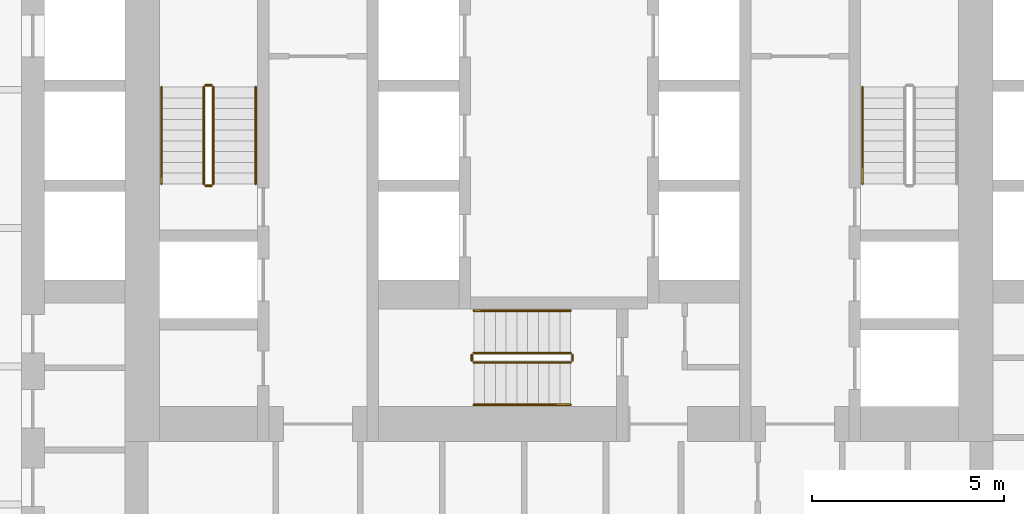
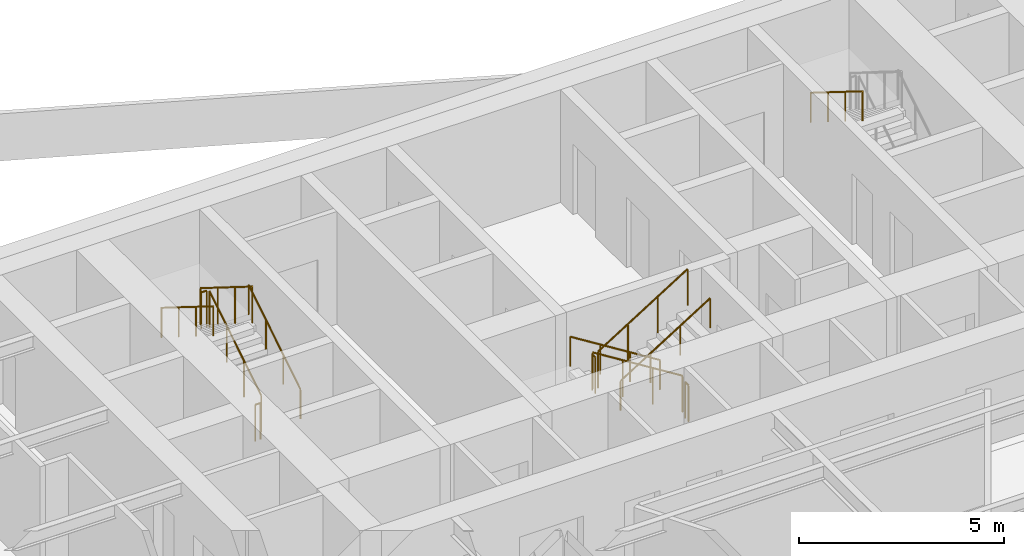
# One storey, part 8 of 10: 13 railings.
"""IFC4 building model written with IfcOpenShell, lengths in metres."""

from ifc_helpers import new_model, si_unit, direction, frame, origin, origin_2d, place, context, subcontext, project, spatial, circle, extrude, material, type_object, element, save


model = new_model("IFC4")

# Units and contexts
model_context = context("Model", 3, precision=1e-05, world=origin(), true_north=direction((0.0, 1.0)))
body_context = subcontext(model_context, "Body", "Model", "MODEL_VIEW")
ifc_project = project(units=[si_unit("LENGTHUNIT", "METRE"), si_unit("AREAUNIT", "SQUARE_METRE"), si_unit("VOLUMEUNIT", "CUBIC_METRE"), si_unit("PLANEANGLEUNIT", "RADIAN"), si_unit("MASSUNIT", "GRAM", prefix="KILO")], contexts=[model_context])

# Site, building, storey
site_placement = place(None, origin())
site = spatial("IfcSite", under=ifc_project, at=site_placement, CompositionType="ELEMENT")
building_placement = place(site_placement, origin())
building = spatial("IfcBuilding", under=site, at=building_placement, Name="Aloe Facet Convention Tower", CompositionType="ELEMENT")
storey_placement = place(building_placement, frame((0.0, 0.0, 85.300048828125)))
storey = spatial("IfcBuildingStorey", under=building, at=storey_placement, Name="L20", CompositionType="ELEMENT", Elevation=85.300048828125)

# Railings
ifc_material_1 = material(Name="Steel S355 balustrade", Category="steel")
railing_type_1 = type_object("IfcRailingType", Name="CR-RL-GUARD", PredefinedType="GUARDRAIL", material=ifc_material_1)
railing_1_placement = place(storey_placement, frame((71.0, 128.949951171875, 0.175048828125)))
element("IfcRailing", 1, at=railing_1_placement, inside=storey, type_object=railing_type_1, Name="L20 ST1 stair guard 1", PredefinedType="GUARDRAIL", context=body_context, shape_type="SweptSolid", body=[
    extrude(circle(Radius=0.02392578125, at=origin_2d()), frame((0.0, 0.0, 1.076171875), z_axis=(0.0, 0.848007534815, 0.529984170421), x_axis=(-1.0, 0.0, 0.0)), (0.0, 0.0, 1.0), 2.9716796875),
    extrude(circle(Radius=0.02099609375, at=origin_2d()), origin(), (0.0, 0.0, 1.0), 1.052001953125),
    extrude(circle(Radius=0.02099609375, at=origin_2d()), frame((0.0, 0.840087890625, 0.52490234375)), (0.0, 0.0, 1.0), 1.052001953125),
    extrude(circle(Radius=0.02099609375, at=origin_2d()), frame((0.0, 1.679931640625, 1.050048828125)), (0.0, 0.0, 1.0), 1.052001953125),
    extrude(circle(Radius=0.02099609375, at=origin_2d()), frame((0.0, 2.52001953125, 1.574951171875)), (0.0, 0.0, 1.0), 1.052001953125),
])
railing_2_placement = place(storey_placement, frame((70.949951171875, 131.52001953125, 1.75)))
element("IfcRailing", 2, at=railing_2_placement, inside=storey, type_object=railing_type_1, Name="L20 ST1 stair guard 2", PredefinedType="GUARDRAIL", context=body_context, shape_type="SweptSolid", body=[
    extrude(circle(Radius=0.02392578125, at=origin_2d()), frame((0.0, 0.0, 1.076171875), z_axis=(-1.0, 0.0, 0.0), x_axis=(0.0, -1.0, 0.0)), (0.0, 0.0, 1.0), 0.14990234375),
    extrude(circle(Radius=0.02099609375, at=origin_2d()), origin(), (0.0, 0.0, 1.0), 1.052001953125),
    extrude(circle(Radius=0.02099609375, at=origin_2d()), frame((-0.14990234375, 0.0, 0.0)), (0.0, 0.0, 1.0), 1.052001953125),
])
railing_3_placement = place(storey_placement, frame((70.75, 131.469970703125, 1.925048828125)))
element("IfcRailing", 3, at=railing_3_placement, inside=storey, type_object=railing_type_1, Name="L20 ST1 stair guard 3", PredefinedType="GUARDRAIL", context=body_context, shape_type="SweptSolid", body=[
    extrude(circle(Radius=0.02392578125, at=origin_2d()), frame((0.0, 0.0, 1.076171875), z_axis=(0.0, -0.848007534815, 0.529984170421), x_axis=(1.0, 0.0, 0.0)), (0.0, 0.0, 1.0), 2.9716796875),
    extrude(circle(Radius=0.02099609375, at=origin_2d()), origin(), (0.0, 0.0, 1.0), 1.052001953125),
    extrude(circle(Radius=0.02099609375, at=origin_2d()), frame((0.0, -0.840087890625, 0.52490234375)), (0.0, 0.0, 1.0), 1.052001953125),
    extrude(circle(Radius=0.02099609375, at=origin_2d()), frame((0.0, -1.679931640625, 1.050048828125)), (0.0, 0.0, 1.0), 1.052001953125),
    extrude(circle(Radius=0.02099609375, at=origin_2d()), frame((0.0, -2.52001953125, 1.574951171875)), (0.0, 0.0, 1.0), 1.052001953125),
])
railing_4_placement = place(storey_placement, frame((70.949951171875, 128.89990234375, 0.0)))
element("IfcRailing", 4, at=railing_4_placement, inside=storey, type_object=railing_type_1, Name="L20 ST1 stair guard 4", PredefinedType="GUARDRAIL", context=body_context, shape_type="SweptSolid", body=[
    extrude(circle(Radius=0.02392578125, at=origin_2d()), frame((0.0, 0.0, 1.076171875), z_axis=(-1.0, 0.0, 0.0), x_axis=(0.0, -1.0, 0.0)), (0.0, 0.0, 1.0), 0.14990234375),
    extrude(circle(Radius=0.02099609375, at=origin_2d()), origin(), (0.0, 0.0, 1.0), 1.052001953125),
    extrude(circle(Radius=0.02099609375, at=origin_2d()), frame((-0.14990234375, 0.0, 0.0)), (0.0, 0.0, 1.0), 1.052001953125),
])
railing_5_placement = place(storey_placement, frame((80.300048828125, 124.550048828125, 0.175048828125)))
element("IfcRailing", 5, at=railing_5_placement, inside=storey, type_object=railing_type_1, Name="L20 ST3 stair guard 1", PredefinedType="GUARDRAIL", context=body_context, shape_type="SweptSolid", body=[
    extrude(circle(Radius=0.02392578125, at=origin_2d()), frame((0.0, 0.0, 1.076171875), z_axis=(-0.848007534815, 0.0, 0.529984170421), x_axis=(0.0, -1.0, 0.0)), (0.0, 0.0, 1.0), 2.9716796875),
    extrude(circle(Radius=0.02099609375, at=origin_2d()), origin(), (0.0, 0.0, 1.0), 1.052001953125),
    extrude(circle(Radius=0.02099609375, at=origin_2d()), frame((-0.840087890625, 0.0, 0.52490234375)), (0.0, 0.0, 1.0), 1.052001953125),
    extrude(circle(Radius=0.02099609375, at=origin_2d()), frame((-1.679931640625, 0.0, 1.050048828125)), (0.0, 0.0, 1.0), 1.052001953125),
    extrude(circle(Radius=0.02099609375, at=origin_2d()), frame((-2.52001953125, 0.0, 1.574951171875)), (0.0, 0.0, 1.0), 1.052001953125),
])
railing_6_placement = place(storey_placement, frame((77.72998046875, 124.5, 1.75)))
element("IfcRailing", 6, at=railing_6_placement, inside=storey, type_object=railing_type_1, Name="L20 ST3 stair guard 2", PredefinedType="GUARDRAIL", context=body_context, shape_type="SweptSolid", body=[
    extrude(circle(Radius=0.02392578125, at=origin_2d()), frame((0.0, 0.0, 1.076171875), z_axis=(0.0, -1.0, 0.0), x_axis=(1.0, 0.0, 0.0)), (0.0, 0.0, 1.0), 0.14990234375),
    extrude(circle(Radius=0.02099609375, at=origin_2d()), origin(), (0.0, 0.0, 1.0), 1.052001953125),
    extrude(circle(Radius=0.02099609375, at=origin_2d()), frame((0.0, -0.14990234375, 0.0)), (0.0, 0.0, 1.0), 1.052001953125),
])
railing_7_placement = place(storey_placement, frame((77.780029296875, 124.300048828125, 1.925048828125)))
element("IfcRailing", 7, at=railing_7_placement, inside=storey, type_object=railing_type_1, Name="L20 ST3 stair guard 3", PredefinedType="GUARDRAIL", context=body_context, shape_type="SweptSolid", body=[
    extrude(circle(Radius=0.02392578125, at=origin_2d()), frame((0.0, 0.0, 1.076171875), z_axis=(0.848007534815, 0.0, 0.529984170421), x_axis=(0.0, 1.0, 0.0)), (0.0, 0.0, 1.0), 2.9716796875),
    extrude(circle(Radius=0.02099609375, at=origin_2d()), origin(), (0.0, 0.0, 1.0), 1.052001953125),
    extrude(circle(Radius=0.02099609375, at=origin_2d()), frame((0.840087890625, 0.0, 0.52490234375)), (0.0, 0.0, 1.0), 1.052001953125),
    extrude(circle(Radius=0.02099609375, at=origin_2d()), frame((1.679931640625, 0.0, 1.050048828125)), (0.0, 0.0, 1.0), 1.052001953125),
    extrude(circle(Radius=0.02099609375, at=origin_2d()), frame((2.52001953125, 0.0, 1.574951171875)), (0.0, 0.0, 1.0), 1.052001953125),
])
railing_8_placement = place(storey_placement, frame((80.35009765625, 124.5, 0.0)))
element("IfcRailing", 8, at=railing_8_placement, inside=storey, type_object=railing_type_1, Name="L20 ST3 stair guard 4", PredefinedType="GUARDRAIL", context=body_context, shape_type="SweptSolid", body=[
    extrude(circle(Radius=0.02392578125, at=origin_2d()), frame((0.0, 0.0, 1.076171875), z_axis=(0.0, -1.0, 0.0), x_axis=(1.0, 0.0, 0.0)), (0.0, 0.0, 1.0), 0.14990234375),
    extrude(circle(Radius=0.02099609375, at=origin_2d()), origin(), (0.0, 0.0, 1.0), 1.052001953125),
    extrude(circle(Radius=0.02099609375, at=origin_2d()), frame((0.0, -0.14990234375, 0.0)), (0.0, 0.0, 1.0), 1.052001953125),
])
ifc_material_2 = material(Name="Steel S355 handrail", Category="steel")
railing_type_2 = type_object("IfcRailingType", Name="CR-RL-HAND", PredefinedType="HANDRAIL", material=ifc_material_2)
railing_9_placement = place(storey_placement, frame((72.10009765625, 128.949951171875, 0.175048828125)))
element("IfcRailing", 9, at=railing_9_placement, inside=storey, type_object=railing_type_2, Name="L20 ST1 stair handrail 1", PredefinedType="HANDRAIL", context=body_context, shape_type="SweptSolid", body=[
    extrude(circle(Radius=0.02392578125, at=origin_2d()), frame((0.0, 0.0, 0.8759765625), z_axis=(0.0, 0.848007534815, 0.529984170421), x_axis=(-1.0, 0.0, 0.0)), (0.0, 0.0, 1.0), 2.9716796875),
    extrude(circle(Radius=0.02099609375, at=origin_2d()), origin(), (0.0, 0.0, 1.0), 0.851806640625),
    extrude(circle(Radius=0.02099609375, at=origin_2d()), frame((0.0, 0.840087890625, 0.52490234375)), (0.0, 0.0, 1.0), 0.851806640625),
    extrude(circle(Radius=0.02099609375, at=origin_2d()), frame((0.0, 1.679931640625, 1.050048828125)), (0.0, 0.0, 1.0), 0.851806640625),
    extrude(circle(Radius=0.02099609375, at=origin_2d()), frame((0.0, 2.52001953125, 1.574951171875)), (0.0, 0.0, 1.0), 0.851806640625),
])
for number, where, name in (
    (10, (69.64990234375, 131.469970703125, 1.925048828125), "L20 ST1 stair handrail 2"),
    (11, (87.89990234375, 131.469970703125, 1.925048828125), "L20 ST2 stair handrail 2"),
):
    element("IfcRailing", number, at=place(storey_placement, frame(where)), inside=storey, type_object=railing_type_2, Name=name, PredefinedType="HANDRAIL", context=body_context, shape_type="SweptSolid", body=[
        extrude(circle(Radius=0.02392578125, at=origin_2d()), frame((0.0, 0.0, 0.8759765625), z_axis=(0.0, -0.848007534815, 0.529984170421), x_axis=(1.0, 0.0, 0.0)), (0.0, 0.0, 1.0), 2.9716796875),
        extrude(circle(Radius=0.02099609375, at=origin_2d()), origin(), (0.0, 0.0, 1.0), 0.851806640625),
        extrude(circle(Radius=0.02099609375, at=origin_2d()), frame((0.0, -0.840087890625, 0.52490234375)), (0.0, 0.0, 1.0), 0.851806640625),
        extrude(circle(Radius=0.02099609375, at=origin_2d()), frame((0.0, -1.679931640625, 1.050048828125)), (0.0, 0.0, 1.0), 0.851806640625),
        extrude(circle(Radius=0.02099609375, at=origin_2d()), frame((0.0, -2.52001953125, 1.574951171875)), (0.0, 0.0, 1.0), 0.851806640625),
    ])
railing_10_placement = place(storey_placement, frame((80.300048828125, 125.64990234375, 0.175048828125)))
element("IfcRailing", 12, at=railing_10_placement, inside=storey, type_object=railing_type_2, Name="L20 ST3 stair handrail 1", PredefinedType="HANDRAIL", context=body_context, shape_type="SweptSolid", body=[
    extrude(circle(Radius=0.02392578125, at=origin_2d()), frame((0.0, 0.0, 0.8759765625), z_axis=(-0.848007534815, 0.0, 0.529984170421), x_axis=(0.0, -1.0, 0.0)), (0.0, 0.0, 1.0), 2.9716796875),
    extrude(circle(Radius=0.02099609375, at=origin_2d()), origin(), (0.0, 0.0, 1.0), 0.851806640625),
    extrude(circle(Radius=0.02099609375, at=origin_2d()), frame((-0.840087890625, 0.0, 0.52490234375)), (0.0, 0.0, 1.0), 0.851806640625),
    extrude(circle(Radius=0.02099609375, at=origin_2d()), frame((-1.679931640625, 0.0, 1.050048828125)), (0.0, 0.0, 1.0), 0.851806640625),
    extrude(circle(Radius=0.02099609375, at=origin_2d()), frame((-2.52001953125, 0.0, 1.574951171875)), (0.0, 0.0, 1.0), 0.851806640625),
])
railing_11_placement = place(storey_placement, frame((77.780029296875, 123.199951171875, 1.925048828125)))
element("IfcRailing", 13, at=railing_11_placement, inside=storey, type_object=railing_type_2, Name="L20 ST3 stair handrail 2", PredefinedType="HANDRAIL", context=body_context, shape_type="SweptSolid", body=[
    extrude(circle(Radius=0.02392578125, at=origin_2d()), frame((0.0, 0.0, 0.8759765625), z_axis=(0.848007534815, 0.0, 0.529984170421), x_axis=(0.0, 1.0, 0.0)), (0.0, 0.0, 1.0), 2.9716796875),
    extrude(circle(Radius=0.02099609375, at=origin_2d()), origin(), (0.0, 0.0, 1.0), 0.851806640625),
    extrude(circle(Radius=0.02099609375, at=origin_2d()), frame((0.840087890625, 0.0, 0.52490234375)), (0.0, 0.0, 1.0), 0.851806640625),
    extrude(circle(Radius=0.02099609375, at=origin_2d()), frame((1.679931640625, 0.0, 1.050048828125)), (0.0, 0.0, 1.0), 0.851806640625),
    extrude(circle(Radius=0.02099609375, at=origin_2d()), frame((2.52001953125, 0.0, 1.574951171875)), (0.0, 0.0, 1.0), 0.851806640625),
])

save(model, "model.ifc")
